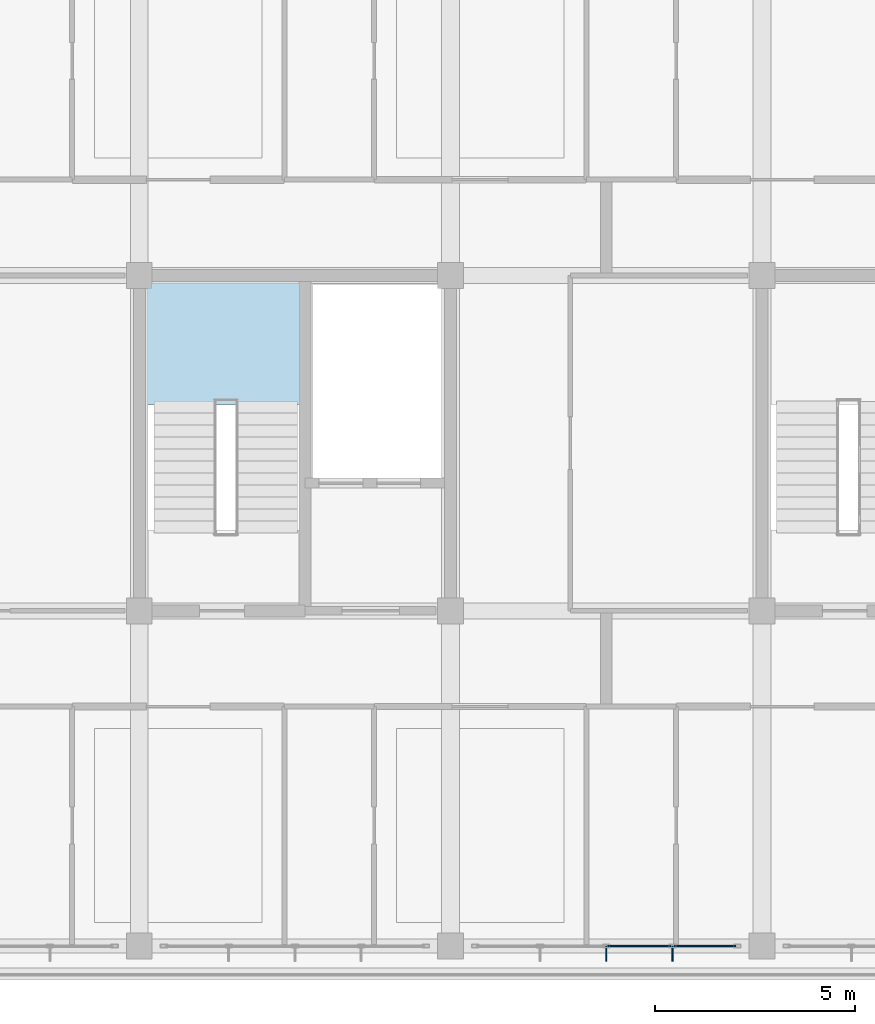
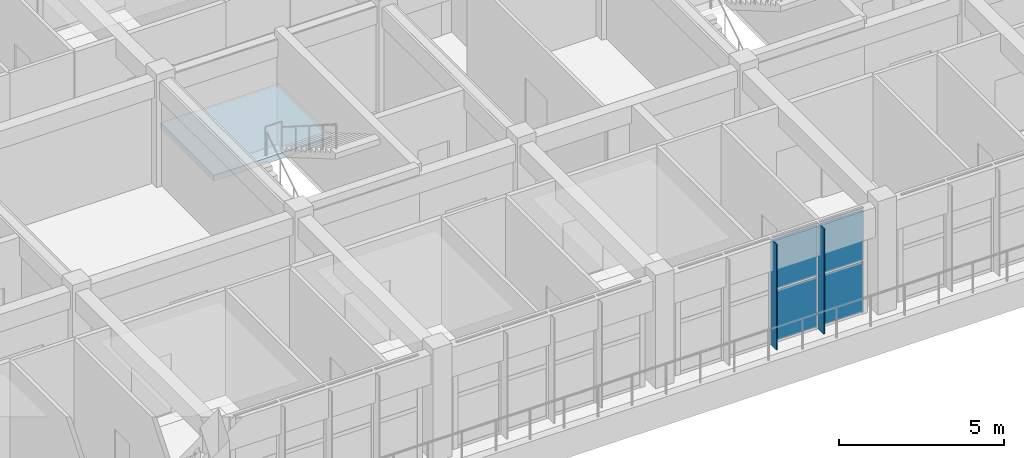
# One storey, part 42 of 63: 6 plates, 1 slab, 2 elements without a shape of their own.
"""IFC4 building model written with IfcOpenShell, lengths in metres."""

import ifcopenshell
import ifcopenshell.guid

model = None  # the IFC model being written
_history = None  # IfcOwnerHistory: only IFC2X3 demands one
_inside = {}  # id of a spatial element -> (the spatial element, [elements in it])
_under = {}  # id of a project, library or spatial element -> (it, [spatial elements below it])
_declared = {}  # id of a project -> (the project, [libraries it declares])
_typed = {}  # id of a type object -> (the type object, [elements of that type])
_made_of = {}  # id of a material, layer set ... -> (it, [elements and type objects made of it])


def new_model(schema):
    """Start an empty IFC model of exactly this schema.

    Asked for "IFC4X3", IfcOpenShell would pick the latest addendum, in which some entities
    have other attributes; the version numbers below select the first issue.
    IFC2X3 requires an IfcOwnerHistory on every rooted entity: one is made here for all.
    """
    global model, _history
    if schema == "IFC4X3":
        model = ifcopenshell.file(schema_version=(4, 3, 0, 0))
    else:
        model = ifcopenshell.file(schema=schema)
    _inside.clear()
    _under.clear()
    _declared.clear()
    _typed.clear()
    _made_of.clear()
    _history = None
    if model.schema == "IFC2X3":
        org = make("IfcOrganization", Name="unknown")
        user = make(
            "IfcPersonAndOrganization",
            ThePerson=make("IfcPerson", FamilyName="unknown"),
            TheOrganization=org,
        )
        app = make(
            "IfcApplication",
            ApplicationDeveloper=org,
            Version="unknown",
            ApplicationFullName="unknown",
            ApplicationIdentifier="unknown",
        )
        _history = make(
            "IfcOwnerHistory",
            OwningUser=user,
            OwningApplication=app,
            ChangeAction="ADDED",
            CreationDate=0,
        )
    return model


def make(cls, **values):
    """One entity of the class cls with the attributes given. An attribute that is None is left unset."""
    return model.create_entity(
        cls, **{name: value for name, value in values.items() if value is not None}
    )


def rooted(cls, **values):
    """An entity with a GlobalId (a new one), such as an element, a storey or a relation."""
    return make(cls, GlobalId=ifcopenshell.guid.new(), OwnerHistory=_history, **values)


def si_unit(unit_type, name, prefix=None):
    """IfcSIUnit, for example si_unit("LENGTHUNIT", "METRE", prefix="MILLI")."""
    return make("IfcSIUnit", UnitType=unit_type, Prefix=prefix, Name=name)


def assignment(units):
    """IfcUnitAssignment: the units of a project."""
    return None if units is None else make("IfcUnitAssignment", Units=units)


def point(xyz):
    """IfcCartesianPoint."""
    return None if xyz is None else make("IfcCartesianPoint", Coordinates=xyz)


def direction(xyz):
    """IfcDirection."""
    return None if xyz is None else make("IfcDirection", DirectionRatios=xyz)


def frame(location, z_axis=None, x_axis=None):
    """IfcAxis2Placement3D, a coordinate frame: its origin and axes. An axis left out is left unset."""
    return make(
        "IfcAxis2Placement3D",
        Location=point(location),
        Axis=direction(z_axis),
        RefDirection=direction(x_axis),
    )


def frame_2d(location, x_axis=None):
    """IfcAxis2Placement2D, a coordinate frame in the plane: its origin and x axis."""
    return make(
        "IfcAxis2Placement2D", Location=point(location), RefDirection=direction(x_axis)
    )


def origin():
    """The frame at (0, 0, 0) with its axes left unset."""
    return frame((0.0, 0.0, 0.0))


def origin_2d():
    """The frame at (0, 0) in the plane with its x axis left unset."""
    return frame_2d((0.0, 0.0))


def place(relative_to, where):
    """IfcLocalPlacement: puts the frame where relative to a parent placement (None: the world)."""
    return make(
        "IfcLocalPlacement", PlacementRelTo=relative_to, RelativePlacement=where
    )


def context(
    kind, dimensions, precision=None, world=None, true_north=None, identifier=None
):
    """IfcGeometricRepresentationContext, for example the 3D "Model" context."""
    return make(
        "IfcGeometricRepresentationContext",
        ContextIdentifier=identifier,
        ContextType=kind,
        CoordinateSpaceDimension=dimensions,
        Precision=precision,
        WorldCoordinateSystem=world,
        TrueNorth=true_north,
    )


def subcontext(parent, identifier, kind, view, scale=None):
    """IfcGeometricRepresentationSubContext, for example "Body" below "Model"."""
    return make(
        "IfcGeometricRepresentationSubContext",
        ContextIdentifier=identifier,
        ContextType=kind,
        ParentContext=parent,
        TargetScale=scale,
        TargetView=view,
    )


def project(units=None, contexts=None):
    """IfcProject with its units and contexts."""
    return rooted(
        "IfcProject",
        Name="project",
        RepresentationContexts=contexts,
        UnitsInContext=assignment(units),
    )


def spatial(cls, under=None, at=None, **own):
    """A site, building, storey or space (cls), placed at a placement, below another one or the project."""
    s = rooted(cls, ObjectPlacement=at, **own)
    if under is not None:
        _under.setdefault(under.id(), (under, []))[1].append(s)
    return s


def polyline(points):
    """IfcPolyline through the points."""
    return make("IfcPolyline", Points=[point(p) for p in points])


def profile(cls, at=None, kind="AREA", **sizes):
    """A parametric profile (cls). Its sizes go by their IFC names, for example OverallWidth=200.0."""
    return make(cls, ProfileType=kind, Position=at, **sizes)


def rectangle(**sizes):
    """IfcRectangleProfileDef."""
    return profile("IfcRectangleProfileDef", **sizes)


def outline(outer, holes=None, kind="AREA"):
    """IfcArbitraryClosedProfileDef: a profile drawn as a closed curve; with holes, ...WithVoids."""
    if holes is None:
        return make("IfcArbitraryClosedProfileDef", ProfileType=kind, OuterCurve=outer)
    return make(
        "IfcArbitraryProfileDefWithVoids",
        ProfileType=kind,
        OuterCurve=outer,
        InnerCurves=holes,
    )


def extrude(swept, where, along, depth):
    """IfcExtrudedAreaSolid: the profile swept, set in the frame where, extruded along a direction by depth."""
    return make(
        "IfcExtrudedAreaSolid",
        SweptArea=swept,
        Position=where,
        ExtrudedDirection=direction(along),
        Depth=depth,
    )


def shape(context_of_items, identifier, shape_type, items):
    """IfcShapeRepresentation: the items that make up one representation, for example the "Body"."""
    return make(
        "IfcShapeRepresentation",
        ContextOfItems=context_of_items,
        RepresentationIdentifier=identifier,
        RepresentationType=shape_type,
        Items=items,
    )


def material(Name=None, Category=None):
    """IfcMaterial."""
    return make("IfcMaterial", Name=Name, Category=Category)


def layer(
    of_material, thickness, ventilated=None, Name=None, Category=None, Priority=None
):
    """IfcMaterialLayer: one layer of a wall or slab, of a material (None: an air gap)."""
    return make(
        "IfcMaterialLayer",
        Material=of_material,
        LayerThickness=thickness,
        IsVentilated=ventilated,
        Name=Name,
        Category=Category,
        Priority=Priority,
    )


def layer_set(layers, Name=None):
    """IfcMaterialLayerSet."""
    return make("IfcMaterialLayerSet", MaterialLayers=layers, LayerSetName=Name)


def made_of(thing, what):
    """Note that an element or type object is made of a material, layer set ...; save() writes the relation."""
    if what is not None:
        _made_of.setdefault(what.id(), (what, []))[1].append(thing)
    return thing


def type_object(cls, material=None, **own):
    """A type object (cls), such as IfcWallType, which elements share."""
    return made_of(rooted(cls, **own), material)


def element(
    cls,
    number,
    at=None,
    inside=None,
    cuts=None,
    type_object=None,
    material=None,
    context=None,
    identifier="Body",
    shape_type=None,
    held_by="IfcProductDefinitionShape",
    body=None,
    shapes=None,
    **own,
):
    """One element of the class cls, such as IfcWall. Its Tag is "e" and its number.

    at: its placement. inside: the storey or other place that contains it. cuts: it is an
    opening in that element (IfcRelVoidsElement). A single representation is given by context,
    identifier, shape_type and body (its items); several are given by shapes. held_by: the class
    of the entity that holds the representations. save() writes the other relations.
    """
    e = rooted(cls, Tag="e%d" % number, ObjectPlacement=at, **own)
    if body is not None:
        shapes = [shape(context, identifier, shape_type, body)]
    if shapes is not None:
        e.Representation = make(held_by, Representations=shapes)
    if inside is not None:
        _inside.setdefault(inside.id(), (inside, []))[1].append(e)
    if cuts is not None:
        rooted(
            "IfcRelVoidsElement", RelatingBuildingElement=cuts, RelatedOpeningElement=e
        )
    if type_object is not None:
        _typed.setdefault(type_object.id(), (type_object, []))[1].append(e)
    return made_of(e, material)


def aggregate(whole, parts):
    """IfcRelAggregates: a whole, such as a stair, and the parts it consists of."""
    return rooted("IfcRelAggregates", RelatingObject=whole, RelatedObjects=parts)


def save(model, path):
    """Write the relations noted so far, then the file.

    IfcRelAggregates (storeys below a building ...), IfcRelContainedInSpatialStructure (elements
    in a storey), IfcRelDefinesByType, IfcRelAssociatesMaterial and IfcRelDeclares: one each for
    every whole, place, type object, material and project.
    """
    for whole, parts in _under.values():
        aggregate(whole, parts)
    for where, things in _inside.values():
        rooted(
            "IfcRelContainedInSpatialStructure",
            RelatedElements=things,
            RelatingStructure=where,
        )
    for kind, things in _typed.values():
        rooted("IfcRelDefinesByType", RelatedObjects=things, RelatingType=kind)
    for what, things in _made_of.values():
        rooted("IfcRelAssociatesMaterial", RelatedObjects=things, RelatingMaterial=what)
    for by, libraries in _declared.values():
        rooted("IfcRelDeclares", RelatingContext=by, RelatedDefinitions=libraries)
    model.write(path)


model = new_model("IFC4")

# Units and contexts
model_context = context("Model", 3, precision=1e-05, world=origin(), true_north=direction((0.0, 1.0)))
body_context = subcontext(model_context, "Body", "Model", "MODEL_VIEW")
ifc_project = project(units=[si_unit("LENGTHUNIT", "METRE"), si_unit("AREAUNIT", "SQUARE_METRE"), si_unit("VOLUMEUNIT", "CUBIC_METRE"), si_unit("PLANEANGLEUNIT", "RADIAN"), si_unit("MASSUNIT", "GRAM", prefix="KILO")], contexts=[model_context])

# Site, building, storey
site_placement = place(None, origin())
site = spatial("IfcSite", under=ifc_project, at=site_placement, CompositionType="ELEMENT")
building_placement = place(site_placement, origin())
building = spatial("IfcBuilding", under=site, at=building_placement, Name="Zizhar Promenade General Hospital", CompositionType="ELEMENT")
storey_placement = place(building_placement, frame((0.0, 0.0, 18.0)))
storey = spatial("IfcBuildingStorey", under=building, at=storey_placement, Name="L04", CompositionType="ELEMENT", Elevation=18.0)

# Curtain wall, plates
ifc_material_1 = material(Name="Anodised aluminium 6063-T6 and low-E glass", Category="aluminium")
ifc_layer_1 = layer(ifc_material_1, 0.159912109375)
ifc_layer_set_1 = layer_set([ifc_layer_1], Name="Anodised aluminium 6063-T6 and low-E glass")
curtain_wall_type = type_object("IfcCurtainWallType", Name="CW-WARD-RIB", PredefinedType="NOTDEFINED", material=ifc_layer_set_1)
curtain_wall_placement = place(storey_placement, origin())
curtain_wall = element("IfcCurtainWall", 1, at=curtain_wall_placement, inside=storey, type_object=curtain_wall_type, Name="Ward Ribbon Curtain Wall L04-17-5", PredefinedType="NOTDEFINED")
ifc_material_2 = material(Name="Low-E solar-control glass", Category="glass")
ifc_layer_2 = layer(ifc_material_2, 0.031982421875)
ifc_layer_set_2 = layer_set([ifc_layer_2], Name="Low-E solar-control glass")
plate_type_1 = type_object("IfcPlateType", Name="CWP-GLZ-32", PredefinedType="CURTAIN_PANEL", material=ifc_layer_set_2)
plate_1_placement = place(storey_placement, frame((76.570068359375, 0.0, 0.06005859375), z_axis=(0.0, 0.0, 1.0), x_axis=(-1.0, 0.0, 0.0)))
plate_1 = element("IfcPlate", 2, at=plate_1_placement, type_object=plate_type_1, Name="CW-13 panel 1.1", PredefinedType="CURTAIN_PANEL", context=body_context, shape_type="SweptSolid", body=[
    extrude(rectangle(XDim=1.5400390625, YDim=0.031982421875, at=origin_2d()), origin(), (0.0, 0.0, 1.0), 1.860107421875),
])
plate_2_placement = place(storey_placement, frame((76.570068359375, 0.0, 1.97998046875), z_axis=(0.0, 0.0, 1.0), x_axis=(-1.0, 0.0, 0.0)))
plate_2 = element("IfcPlate", 3, at=plate_2_placement, type_object=plate_type_1, Name="CW-13 panel 1.2", PredefinedType="CURTAIN_PANEL", context=body_context, shape_type="SweptSolid", body=[
    extrude(rectangle(XDim=1.5400390625, YDim=0.031982421875, at=origin_2d()), origin(), (0.0, 0.0, 1.0), 1.860107421875),
])
plate_3_placement = place(storey_placement, frame((74.929931640625, 0.0, 0.06005859375), z_axis=(0.0, 0.0, 1.0), x_axis=(-1.0, 0.0, 0.0)))
plate_3 = element("IfcPlate", 4, at=plate_3_placement, type_object=plate_type_1, Name="CW-13 panel 2.1", PredefinedType="CURTAIN_PANEL", context=body_context, shape_type="SweptSolid", body=[
    extrude(rectangle(XDim=1.580078125, YDim=0.031982421875, at=origin_2d()), origin(), (0.0, 0.0, 1.0), 1.860107421875),
])
plate_4_placement = place(storey_placement, frame((74.929931640625, 0.0, 1.97998046875), z_axis=(0.0, 0.0, 1.0), x_axis=(-1.0, 0.0, 0.0)))
plate_4 = element("IfcPlate", 5, at=plate_4_placement, type_object=plate_type_1, Name="CW-13 panel 2.2", PredefinedType="CURTAIN_PANEL", context=body_context, shape_type="SweptSolid", body=[
    extrude(rectangle(XDim=1.580078125, YDim=0.031982421875, at=origin_2d()), origin(), (0.0, 0.0, 1.0), 1.860107421875),
])
aggregate(curtain_wall, [plate_1, plate_2, plate_3, plate_4])

# Plates
ifc_material_3 = material(Name="Anodised aluminium 6063-T6", Category="aluminium")
ifc_layer_3 = layer(ifc_material_3, 0.035888671875)
ifc_layer_set_3 = layer_set([ifc_layer_3], Name="Anodised aluminium 6063-T6")
plate_type_2 = type_object("IfcPlateType", Name="FIN-ALU-380", PredefinedType="USERDEFINED", material=ifc_layer_set_3)
plate_5_placement = place(storey_placement, origin())
element("IfcPlate", 6, at=plate_5_placement, inside=storey, type_object=plate_type_2, Name="Ward Ribbon Curtain Wall L04-17-5 Solar Fin 1", ObjectType="SOLAR_SHADE", PredefinedType="USERDEFINED", context=body_context, shape_type="SweptSolid", body=[
    extrude(outline(polyline([(75.778076171875, 0.0), (75.741943359375, 0.0), (75.741943359375, -0.3798828125), (75.778076171875, -0.3798828125), (75.778076171875, 0.0)])), origin(), (0.0, 0.0, 1.0), 3.89990234375),
])
plate_6_placement = place(storey_placement, origin())
element("IfcPlate", 7, at=plate_6_placement, inside=storey, type_object=plate_type_2, Name="Ward Ribbon Curtain Wall L04-17-5 Solar Fin 2", ObjectType="SOLAR_SHADE", PredefinedType="USERDEFINED", context=body_context, shape_type="SweptSolid", body=[
    extrude(outline(polyline([(74.117919921875, 0.0), (74.08203125, 0.0), (74.08203125, -0.3798828125), (74.117919921875, -0.3798828125), (74.117919921875, 0.0)])), origin(), (0.0, 0.0, 1.0), 3.89990234375),
])

# Stair, slab
ifc_material_4 = material(Name="Concrete C35/45", Category="concrete")
stair_type = type_object("IfcStairType", Name="STR-DOG-420", PredefinedType="HALF_TURN_STAIR", material=ifc_material_4)
stair_placement = place(storey_placement, origin())
stair = element("IfcStair", 8, at=stair_placement, inside=storey, type_object=stair_type, Name="Exit Stair ST-03 (L04 to L05)", PredefinedType="HALF_TURN_STAIR")
ifc_material_5 = material(Name="Concrete C35/45", Category="concrete")
ifc_layer_4 = layer(ifc_material_5, 0.2099609375)
ifc_layer_set_4 = layer_set([ifc_layer_4], Name="Concrete C35/45")
slab_type = type_object("IfcSlabType", Name="SLB-LAND-420", PredefinedType="LANDING", material=ifc_layer_set_4)
slab_placement = place(storey_placement, frame((0.0, 0.0, 1.889892578125)))
slab = element("IfcSlab", 9, at=slab_placement, type_object=slab_type, Name="ST-03C landing 1", PredefinedType="LANDING", context=body_context, shape_type="SweptSolid", body=[
    extrude(outline(polyline([(62.39990234375, 13.570068359375), (66.550048828125, 13.570068359375), (66.550048828125, 16.800048828125), (62.39990234375, 16.800048828125), (62.39990234375, 13.570068359375)])), origin(), (0.0, 0.0, 1.0), 0.210205078125),
])
aggregate(stair, [slab])

save(model, "model.ifc")
